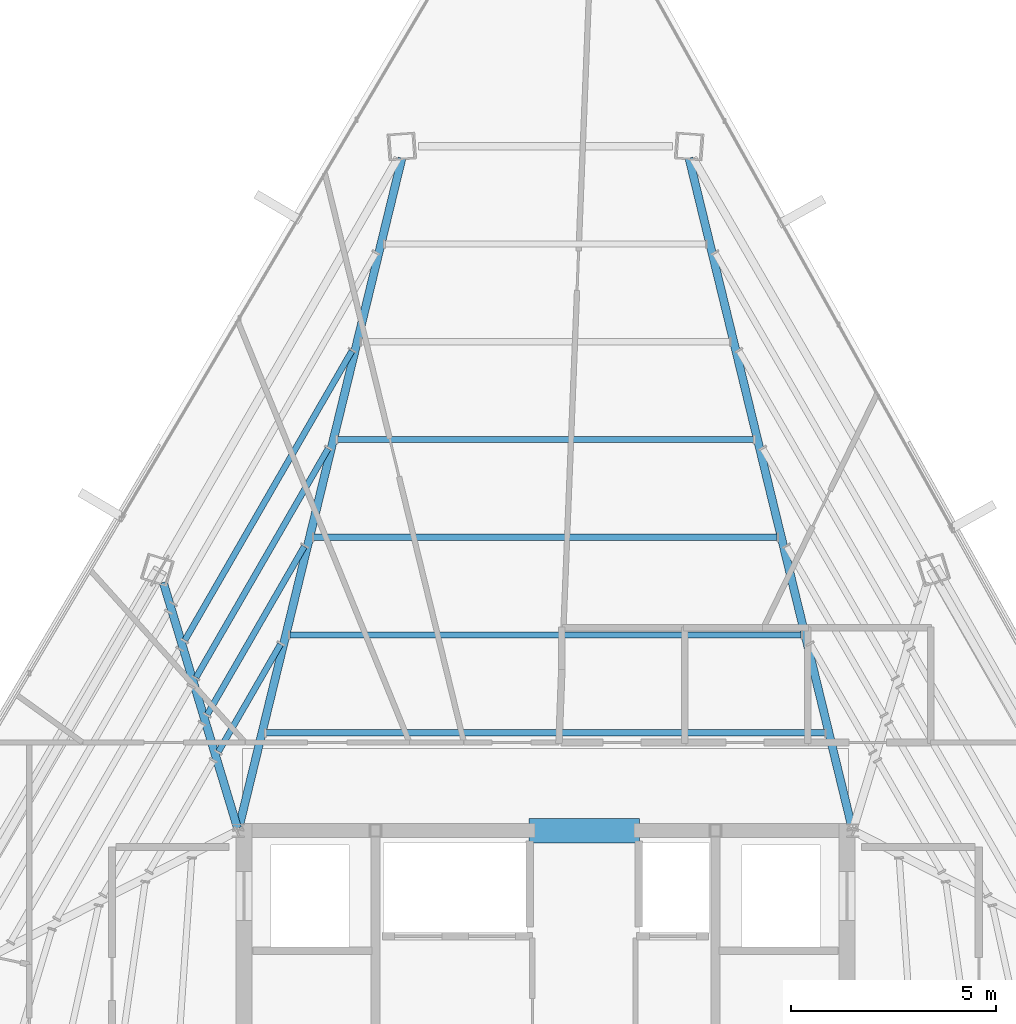
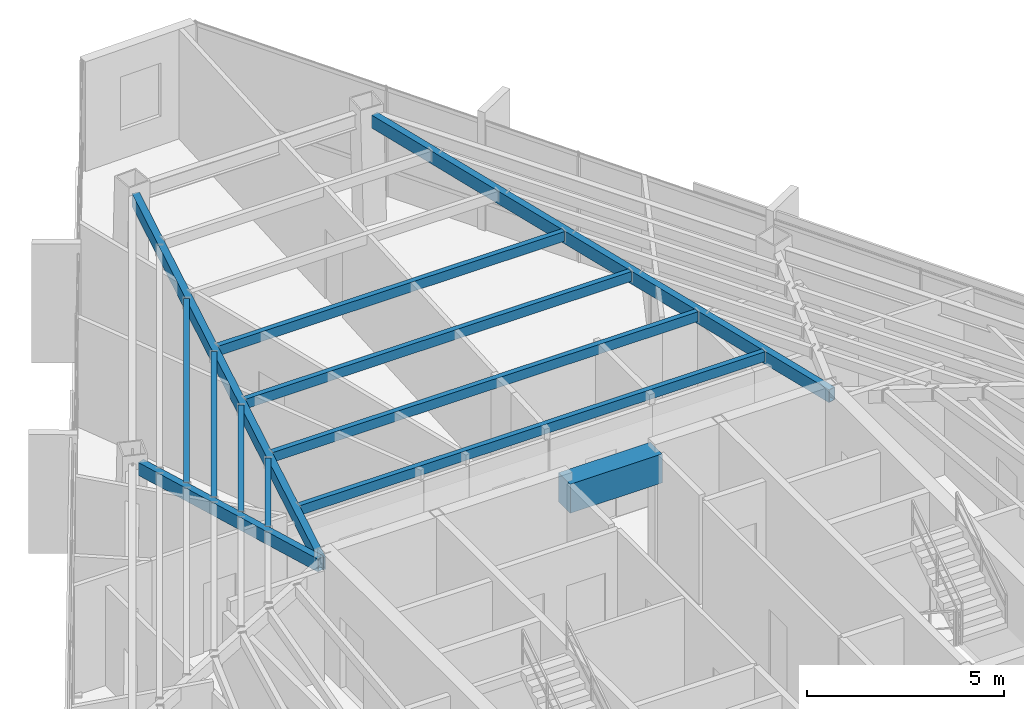
# One storey, part 18 of 48: 12 beams.
"""IFC4 building model written with IfcOpenShell, lengths in metres."""

from ifc_helpers import new_model, si_unit, direction, frame, origin, origin_2d, place, context, subcontext, project, spatial, rectangle, hollow_rectangle, extrude, source, transform, mapped, material, material_profile, profile_set, type_object, type_shapes, element, save


model = new_model("IFC4")

# Units and contexts
model_context = context("Model", 3, precision=1e-05, world=origin(), true_north=direction((0.0, 1.0)))
body_context = subcontext(model_context, "Body", "Model", "MODEL_VIEW")
ifc_project = project(units=[si_unit("LENGTHUNIT", "METRE"), si_unit("AREAUNIT", "SQUARE_METRE"), si_unit("VOLUMEUNIT", "CUBIC_METRE"), si_unit("PLANEANGLEUNIT", "RADIAN"), si_unit("MASSUNIT", "GRAM", prefix="KILO")], contexts=[model_context])

# Site, building, storey
site_placement = place(None, origin())
site = spatial("IfcSite", under=ifc_project, at=site_placement, CompositionType="ELEMENT")
building_placement = place(site_placement, origin())
building = spatial("IfcBuilding", under=site, at=building_placement, Name="Caelisora Broadcast Tower", CompositionType="ELEMENT")
storey_placement = place(building_placement, frame((0.0, 0.0, 270.0)))
storey = spatial("IfcBuildingStorey", under=building, at=storey_placement, Name="L71", CompositionType="ELEMENT", Elevation=270.0)

# Beams
ifc_material_1 = material(Name="Concrete 50 MPa (AS 3600 S50)", Category="concrete")
ifc_material_profile_1 = material_profile(ifc_material_1, rectangle(XDim=0.60009765625, YDim=0.89990234375, at=origin_2d()), Name="Concrete 50 MPa (AS 3600 S50)")
ifc_profile_set_1 = profile_set([ifc_material_profile_1], Name="Concrete 50 MPa (AS 3600 S50)")
beam_type_1 = type_object("IfcBeamType", Name="CB02", PredefinedType="LINTEL", material=ifc_profile_set_1)
shared_shape_1 = source(origin(), body_context, "Body", "SweptSolid", [
    extrude(rectangle(XDim=0.60009765625, YDim=0.89990234375, at=origin_2d()), origin(), (0.0, 0.0, 1.0), 2.699951171875),
])
type_shapes(beam_type_1, [shared_shape_1])
beam_1_placement = place(storey_placement, frame((37.60009765625, 30.0, 2.949951171875), z_axis=(1.0, 0.0, 0.0), x_axis=(0.0, 1.0, 0.0)))
element("IfcBeam", 1, at=beam_1_placement, inside=storey, type_object=beam_type_1, Name="L71 beam CB02", PredefinedType="LINTEL", context=body_context, shape_type="MappedRepresentation", body=[
    mapped(shared_shape_1, transform((0.0, 0.0, 0.0), scale=1.0)),
])
ifc_material_2 = material(Name="Steel Grade 350 (AS/NZS 1163 C350L0)", Category="steel")
ifc_material_profile_2 = material_profile(ifc_material_2, hollow_rectangle(XDim=0.199951171875, YDim=0.39990234375, WallThickness=0.012451171875, at=origin_2d()), Name="Steel Grade 350 (AS/NZS 1163 C350L0)")
ifc_profile_set_2 = profile_set([ifc_material_profile_2], Name="Steel Grade 350 (AS/NZS 1163 C350L0)")
beam_type_2 = type_object("IfcBeamType", Name="PG07", PredefinedType="BEAM", material=ifc_profile_set_2)
shared_shape_2 = source(origin(), body_context, "Body", "SweptSolid", [
    extrude(hollow_rectangle(XDim=0.199951171875, YDim=0.39990234375, WallThickness=0.012451171875, at=origin_2d()), origin(), (0.0, 0.0, 1.0), 16.834716796875),
])
for number, where, z_axis, x_axis, name in (
    (2, (45.48583984375, 30.058349609375, 3.199951171875), (-0.2365014488, 0.971631136139, 0.0), (-0.971631136139, -0.2365014488, 0.0), "L71 beam PG07"),
    (3, (30.51416015625, 30.058349609375, 3.199951171875), (0.2365014488, 0.971631136139, 0.0), (-0.971631136139, 0.2365014488, 0.0), "L71 beam PG07"),
):
    element("IfcBeam", number, at=place(storey_placement, frame(where, z_axis=z_axis, x_axis=x_axis)), inside=storey, type_object=beam_type_2, Name=name, PredefinedType="BEAM", context=body_context, shape_type="MappedRepresentation", body=[
        mapped(shared_shape_2, transform((0.0, 0.0, 0.0), scale=1.0)),
    ])
shared_shape_3 = source(origin(), body_context, "Body", "SweptSolid", [
    extrude(hollow_rectangle(XDim=0.199951171875, YDim=0.39990234375, WallThickness=0.012451171875, at=origin_2d()), origin(), (0.0, 0.0, 1.0), 6.26904296875),
])
type_shapes(beam_type_2, [shared_shape_2, shared_shape_3])
beam_2_placement = place(storey_placement, frame((30.482666015625, 30.057373046875, 3.199951171875), z_axis=(-0.289123112795, 0.957291922899, 0.0), x_axis=(-0.957291922899, -0.289123112795, 0.0)))
element("IfcBeam", 4, at=beam_2_placement, inside=storey, type_object=beam_type_2, Name="L71 beam PG07", PredefinedType="BEAM", context=body_context, shape_type="MappedRepresentation", body=[
    mapped(shared_shape_3, transform((0.0, 0.0, 0.0), scale=1.0)),
])
ifc_material_profile_3 = material_profile(ifc_material_2, hollow_rectangle(XDim=0.14990234375, YDim=0.300048828125, WallThickness=0.010009765625, at=origin_2d()), Name="Steel Grade 350 (AS/NZS 1163 C350L0)")
ifc_profile_set_3 = profile_set([ifc_material_profile_3], Name="Steel Grade 350 (AS/NZS 1163 C350L0)")
beam_type_3 = type_object("IfcBeamType", Name="SB05", PredefinedType="JOIST", material=ifc_profile_set_3)
shared_shape_4 = source(origin(), body_context, "Body", "SweptSolid", [
    extrude(hollow_rectangle(XDim=0.14990234375, YDim=0.300048828125, WallThickness=0.010009765625, at=origin_2d()), origin(), (0.0, 0.0, 1.0), 13.63818359375),
])
beam_3_placement = place(storey_placement, frame((44.819091796875, 32.386474609375, 3.25), z_axis=(-1.0, 0.0, 0.0), x_axis=(0.0, -1.0, 0.0)))
element("IfcBeam", 5, at=beam_3_placement, inside=storey, type_object=beam_type_3, Name="L71 beam SB05", PredefinedType="JOIST", context=body_context, shape_type="MappedRepresentation", body=[
    mapped(shared_shape_4, transform((0.0, 0.0, 0.0), scale=1.0)),
])
shared_shape_5 = source(origin(), body_context, "Body", "SweptSolid", [
    extrude(hollow_rectangle(XDim=0.14990234375, YDim=0.300048828125, WallThickness=0.010009765625, at=origin_2d()), origin(), (0.0, 0.0, 1.0), 12.4765625),
])
beam_4_placement = place(storey_placement, frame((44.23828125, 34.77294921875, 3.25), z_axis=(-1.0, 0.0, 0.0), x_axis=(0.0, -1.0, 0.0)))
element("IfcBeam", 6, at=beam_4_placement, inside=storey, type_object=beam_type_3, Name="L71 beam SB05", PredefinedType="JOIST", context=body_context, shape_type="MappedRepresentation", body=[
    mapped(shared_shape_5, transform((0.0, 0.0, 0.0), scale=1.0)),
])
shared_shape_6 = source(origin(), body_context, "Body", "SweptSolid", [
    extrude(hollow_rectangle(XDim=0.14990234375, YDim=0.300048828125, WallThickness=0.010009765625, at=origin_2d()), origin(), (0.0, 0.0, 1.0), 11.31494140625),
])
beam_5_placement = place(storey_placement, frame((43.657470703125, 37.1591796875, 3.25), z_axis=(-1.0, 0.0, 0.0), x_axis=(0.0, -1.0, 0.0)))
element("IfcBeam", 7, at=beam_5_placement, inside=storey, type_object=beam_type_3, Name="L71 beam SB05", PredefinedType="JOIST", context=body_context, shape_type="MappedRepresentation", body=[
    mapped(shared_shape_6, transform((0.0, 0.0, 0.0), scale=1.0)),
])
shared_shape_7 = source(origin(), body_context, "Body", "SweptSolid", [
    extrude(hollow_rectangle(XDim=0.14990234375, YDim=0.300048828125, WallThickness=0.010009765625, at=origin_2d()), origin(), (0.0, 0.0, 1.0), 10.1533203125),
])
beam_6_placement = place(storey_placement, frame((43.07666015625, 39.545654296875, 3.25), z_axis=(-1.0, 0.0, 0.0), x_axis=(0.0, -1.0, 0.0)))
element("IfcBeam", 8, at=beam_6_placement, inside=storey, type_object=beam_type_3, Name="L71 beam SB05", PredefinedType="JOIST", context=body_context, shape_type="MappedRepresentation", body=[
    mapped(shared_shape_7, transform((0.0, 0.0, 0.0), scale=1.0)),
])
shared_shape_8 = source(origin(), body_context, "Body", "SweptSolid", [
    extrude(hollow_rectangle(XDim=0.14990234375, YDim=0.300048828125, WallThickness=0.010009765625, at=origin_2d()), origin(), (0.0, 0.0, 1.0), 3.02392578125),
])
beam_7_placement = place(storey_placement, frame((31.531494140625, 34.547607421875, 3.25), z_axis=(-0.499925134246, -0.866068623233, 0.0), x_axis=(0.866068623233, -0.499925134246, 0.0)))
element("IfcBeam", 9, at=beam_7_placement, inside=storey, type_object=beam_type_3, Name="L71 beam SB05", PredefinedType="JOIST", context=body_context, shape_type="MappedRepresentation", body=[
    mapped(shared_shape_8, transform((0.0, 0.0, 0.0), scale=1.0)),
])
shared_shape_9 = source(origin(), body_context, "Body", "SweptSolid", [
    extrude(hollow_rectangle(XDim=0.14990234375, YDim=0.300048828125, WallThickness=0.010009765625, at=origin_2d()), origin(), (0.0, 0.0, 1.0), 4.73291015625),
])
beam_8_placement = place(storey_placement, frame((32.112548828125, 36.933837890625, 3.25), z_axis=(-0.49999482868, -0.866028389427, 0.0), x_axis=(0.866028389427, -0.49999482868, 0.0)))
element("IfcBeam", 10, at=beam_8_placement, inside=storey, type_object=beam_type_3, Name="L71 beam SB05", PredefinedType="JOIST", context=body_context, shape_type="MappedRepresentation", body=[
    mapped(shared_shape_9, transform((0.0, 0.0, 0.0), scale=1.0)),
])
shared_shape_10 = source(origin(), body_context, "Body", "SweptSolid", [
    extrude(hollow_rectangle(XDim=0.14990234375, YDim=0.300048828125, WallThickness=0.010009765625, at=origin_2d()), origin(), (0.0, 0.0, 1.0), 6.442138671875),
])
beam_9_placement = place(storey_placement, frame((32.693359375, 39.3203125, 3.25), z_axis=(-0.500011131643, -0.866018976832, 0.0), x_axis=(0.866018976832, -0.500011131643, 0.0)))
element("IfcBeam", 11, at=beam_9_placement, inside=storey, type_object=beam_type_3, Name="L71 beam SB05", PredefinedType="JOIST", context=body_context, shape_type="MappedRepresentation", body=[
    mapped(shared_shape_10, transform((0.0, 0.0, 0.0), scale=1.0)),
])
shared_shape_11 = source(origin(), body_context, "Body", "SweptSolid", [
    extrude(hollow_rectangle(XDim=0.14990234375, YDim=0.300048828125, WallThickness=0.010009765625, at=origin_2d()), origin(), (0.0, 0.0, 1.0), 8.151611328125),
])
type_shapes(beam_type_3, [shared_shape_4, shared_shape_5, shared_shape_6, shared_shape_7, shared_shape_8, shared_shape_9, shared_shape_10, shared_shape_11])
beam_10_placement = place(storey_placement, frame((33.2744140625, 41.706787109375, 3.25), z_axis=(-0.500020597436, -0.866013511522, 0.0), x_axis=(0.866013511523, -0.500020597436, 0.0)))
element("IfcBeam", 12, at=beam_10_placement, inside=storey, type_object=beam_type_3, Name="L71 beam SB05", PredefinedType="JOIST", context=body_context, shape_type="MappedRepresentation", body=[
    mapped(shared_shape_11, transform((0.0, 0.0, 0.0), scale=1.0)),
])

save(model, "model.ifc")
